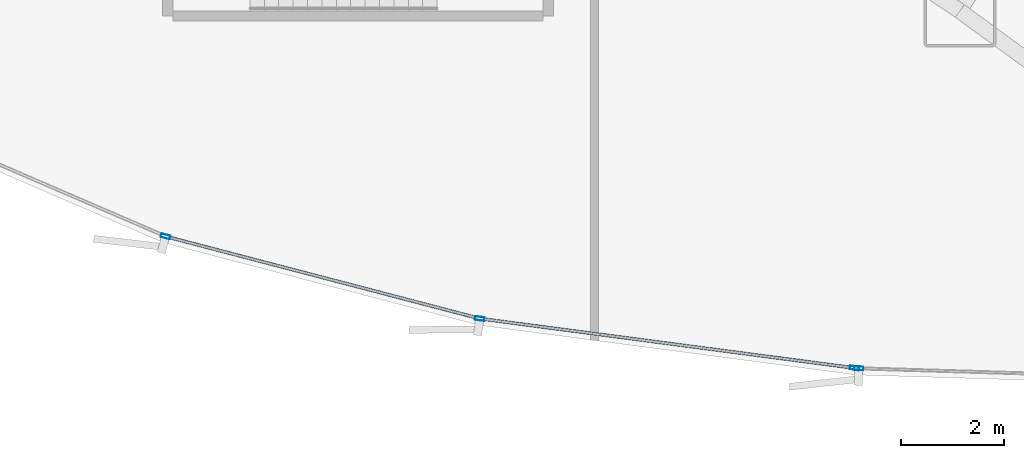
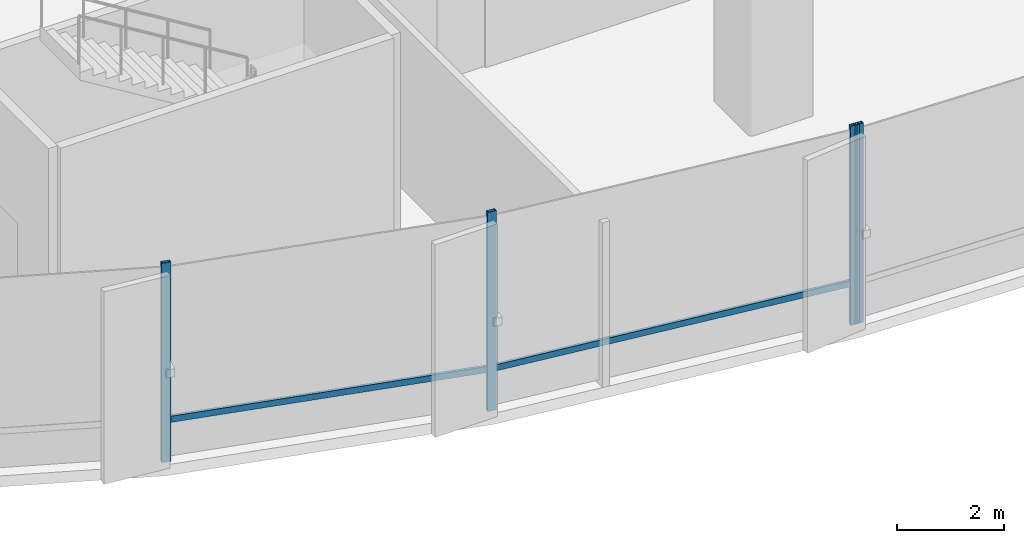
# One storey, part 4 of 34: 6 members, 2 elements without a shape of their own.
"""IFC4 building model written with IfcOpenShell, lengths in metres."""

from ifc_helpers import new_model, si_unit, direction, frame, origin, origin_2d, place, context, subcontext, project, spatial, hollow_rectangle, extrude, source, transform, mapped, material, layer, layer_set, material_profile, profile_set, type_object, element, aggregate, save


model = new_model("IFC4")

# Units and contexts
model_context = context("Model", 3, precision=1e-05, world=origin(), true_north=direction((0.0, 1.0)))
body_context = subcontext(model_context, "Body", "Model", "MODEL_VIEW")
ifc_project = project(units=[si_unit("LENGTHUNIT", "METRE"), si_unit("AREAUNIT", "SQUARE_METRE"), si_unit("VOLUMEUNIT", "CUBIC_METRE"), si_unit("PLANEANGLEUNIT", "RADIAN"), si_unit("MASSUNIT", "GRAM", prefix="KILO"), si_unit("THERMODYNAMICTEMPERATUREUNIT", "KELVIN")], contexts=[model_context])

# Site, building, storey
site_placement = place(None, origin())
site = spatial("IfcSite", under=ifc_project, at=site_placement, CompositionType="ELEMENT")
building_placement = place(site_placement, origin())
building = spatial("IfcBuilding", under=site, at=building_placement, Name="Kethvar Cultural Tower", CompositionType="ELEMENT")
storey_placement = place(building_placement, frame((0.0, 0.0, 5.199951171875)))
storey = spatial("IfcBuildingStorey", under=building, at=storey_placement, Name="L01", CompositionType="ELEMENT", Elevation=5.199951171875)

# Curtain wall, members
ifc_material = material(Name="Aluminium 6063-T6", Category="aluminium")
ifc_layer = layer(ifc_material, 0.179931640625, Name="Aluminium 6063-T6", Category="aluminium")
ifc_layer_set = layer_set([ifc_layer], Name="Aluminium 6063-T6 (180 mm)")
curtain_wall_type = type_object("IfcCurtainWallType", Name="CW-SYS-01-POD", PredefinedType="NOTDEFINED", material=ifc_layer_set)
curtain_wall_1_placement = place(storey_placement, origin())
curtain_wall_1 = element("IfcCurtainWall", 1, at=curtain_wall_1_placement, inside=storey, type_object=curtain_wall_type, Name="L01 Curtain Wall Run 04", PredefinedType="NOTDEFINED")
ifc_material_profile_1 = material_profile(ifc_material, hollow_rectangle(XDim=0.06005859375, YDim=0.139892578125, WallThickness=0.0048828125, at=origin_2d()), Name="Aluminium 6063-T6 — RHS140x60x5")
ifc_profile_set_1 = profile_set([ifc_material_profile_1], Name="Aluminium 6063-T6 — RHS140x60x5")
member_type_1 = type_object("IfcMemberType", Name="CW-SYS-01-POD-TRN", PredefinedType="USERDEFINED", material=ifc_profile_set_1)
shared_shape_1 = source(origin(), body_context, "Body", "SweptSolid", [
    extrude(hollow_rectangle(XDim=0.06005859375, YDim=0.139892578125, WallThickness=0.0048828125, at=origin_2d()), origin(), (0.0, 0.0, 1.0), 7.28955078125),
])
member_1_placement = place(storey_placement, frame((24.0205078125, 1.611328125, 0.949951171875), z_axis=(0.991428284846, -0.130652041726, 0.0), x_axis=(0.130652041726, 0.991428284846, 0.0)))
member_1 = element("IfcMember", 2, at=member_1_placement, type_object=member_type_1, Name="CW-L01-R04 Transom 6", ObjectType="TRANSOM", PredefinedType="USERDEFINED", context=body_context, shape_type="MappedRepresentation", body=[
    mapped(shared_shape_1, transform((0.0, 0.0, 0.0), scale=1.0)),
])
shared_shape_2 = source(origin(), body_context, "Body", "SweptSolid", [
    extrude(hollow_rectangle(XDim=0.06005859375, YDim=0.139892578125, WallThickness=0.0048828125, at=origin_2d()), origin(), (0.0, 0.0, 1.0), 6.221435546875),
])
member_2_placement = place(storey_placement, frame((17.911865234375, 3.203125, 0.949951171875), z_axis=(0.967458727109, -0.253028874519, 0.0), x_axis=(0.253028874519, 0.967458727109, 0.0)))
member_2 = element("IfcMember", 3, at=member_2_placement, type_object=member_type_1, Name="CW-L01-R04 Transom 5", ObjectType="TRANSOM", PredefinedType="USERDEFINED", context=body_context, shape_type="MappedRepresentation", body=[
    mapped(shared_shape_2, transform((0.0, 0.0, 0.0), scale=1.0)),
])
ifc_material_profile_2 = material_profile(ifc_material, hollow_rectangle(XDim=0.074951171875, YDim=0.179931640625, WallThickness=0.006103515625, at=origin_2d()), Name="Aluminium 6063-T6 — RHS180x75x6")
ifc_profile_set_2 = profile_set([ifc_material_profile_2], Name="Aluminium 6063-T6 — RHS180x75x6")
member_type_2 = type_object("IfcMemberType", Name="CW-SYS-01-POD-MUL", PredefinedType="MULLION", material=ifc_profile_set_2)
shared_shape_3 = source(origin(), body_context, "Body", "SweptSolid", [
    extrude(hollow_rectangle(XDim=0.074951171875, YDim=0.179931640625, WallThickness=0.006103515625, at=origin_2d()), origin(), (0.0, 0.0, 1.0), 4.550048828125),
])
member_3_placement = place(storey_placement, frame((17.859619140625, 3.216796875, 0.0), z_axis=(0.0, 0.0, 1.0), x_axis=(0.253031946887, 0.967457923558, 0.0)))
member_3 = element("IfcMember", 4, at=member_3_placement, type_object=member_type_2, Name="CW-L01-R04 Mullion 5", PredefinedType="MULLION", context=body_context, shape_type="MappedRepresentation", body=[
    mapped(shared_shape_3, transform((0.0, 0.0, 0.0), scale=1.0)),
])
member_4_placement = place(storey_placement, frame((23.967041015625, 1.618408203125, 0.0), z_axis=(0.0, 0.0, 1.0), x_axis=(0.130647319086, 0.991428907192, 0.0)))
member_4 = element("IfcMember", 5, at=member_4_placement, type_object=member_type_2, Name="CW-L01-R04 Mullion 6", PredefinedType="MULLION", context=body_context, shape_type="MappedRepresentation", body=[
    mapped(shared_shape_3, transform((0.0, 0.0, 0.0), scale=1.0)),
])
member_5_placement = place(storey_placement, frame((31.252685546875, 0.658447265625, 0.0), z_axis=(0.0, 0.0, 1.0), x_axis=(0.130647319086, 0.991428907192, 0.0)))
member_5 = element("IfcMember", 6, at=member_5_placement, type_object=member_type_2, Name="CW-L01-R04 Mullion 7", PredefinedType="MULLION", context=body_context, shape_type="MappedRepresentation", body=[
    mapped(shared_shape_3, transform((0.0, 0.0, 0.0), scale=1.0)),
])
aggregate(curtain_wall_1, [member_3, member_4, member_5, member_2, member_1])

# Curtain wall, member
curtain_wall_2_placement = place(storey_placement, origin())
curtain_wall_2 = element("IfcCurtainWall", 7, at=curtain_wall_2_placement, inside=storey, type_object=curtain_wall_type, Name="L01 Curtain Wall Run 05", PredefinedType="NOTDEFINED")
member_6_placement = place(storey_placement, frame((31.336669921875, 0.651611328125, 0.0), z_axis=(0.0, 0.0, 1.0), x_axis=(0.030137272261, 0.999545769248, 0.0)))
member_6 = element("IfcMember", 8, at=member_6_placement, type_object=member_type_2, Name="CW-L01-R05 Mullion 1", PredefinedType="MULLION", context=body_context, shape_type="MappedRepresentation", body=[
    mapped(shared_shape_3, transform((0.0, 0.0, 0.0), scale=1.0)),
])
aggregate(curtain_wall_2, [member_6])

save(model, "model.ifc")
